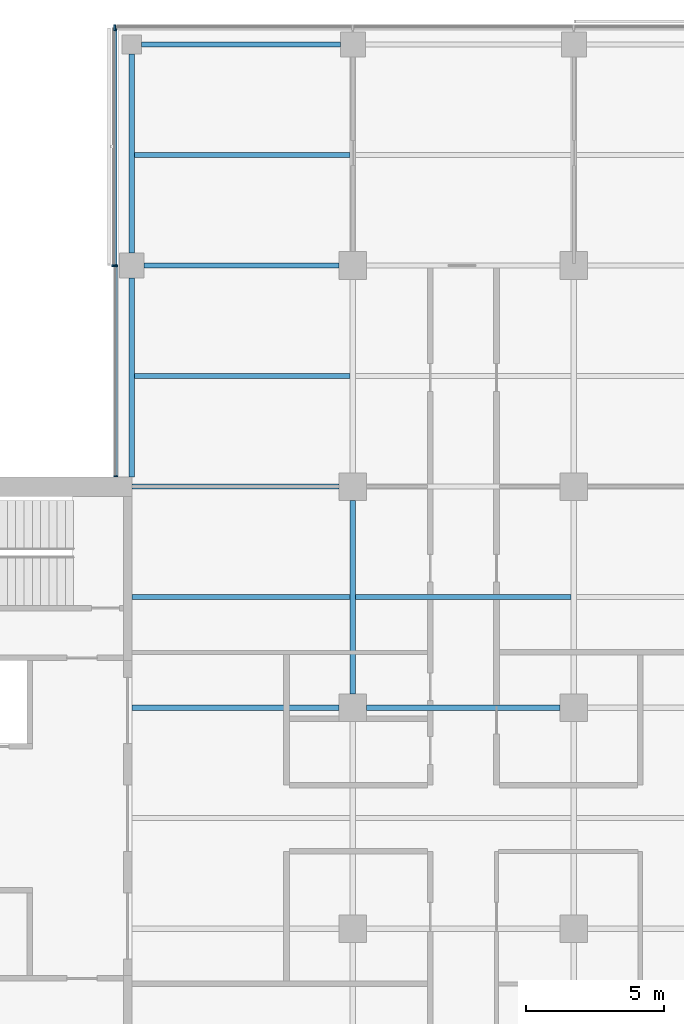
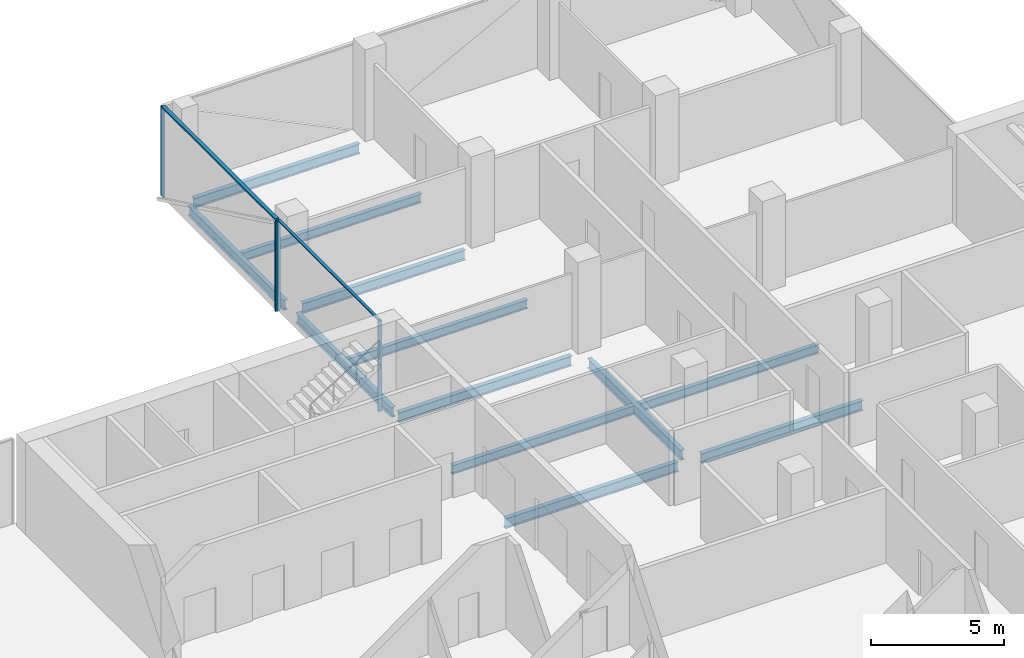
# One storey, part 8 of 22: 12 beams, 6 members, 3 elements without a shape of their own.
"""IFC4 building model written with IfcOpenShell, lengths in metres."""

from ifc_helpers import new_model, si_unit, direction, frame, origin, origin_2d, place, context, subcontext, project, spatial, rectangle, i_section, extrude, material, material_profile, profile_set, type_object, element, aggregate, save


model = new_model("IFC4")

# Units and contexts
model_context = context("Model", 3, precision=1e-05, world=origin(), true_north=direction((0.0, 1.0)))
body_context = subcontext(model_context, "Body", "Model", "MODEL_VIEW")
ifc_project = project(units=[si_unit("LENGTHUNIT", "METRE"), si_unit("AREAUNIT", "SQUARE_METRE"), si_unit("VOLUMEUNIT", "CUBIC_METRE"), si_unit("PLANEANGLEUNIT", "RADIAN"), si_unit("MASSUNIT", "GRAM", prefix="KILO")], contexts=[model_context])

# Site, building, storey
site_placement = place(None, origin())
site = spatial("IfcSite", under=ifc_project, at=site_placement, CompositionType="ELEMENT")
building_placement = place(site_placement, origin())
building = spatial("IfcBuilding", under=site, at=building_placement, Name="Crosswind Convention Tower", CompositionType="ELEMENT")
storey_placement = place(building_placement, frame((0.0, 0.0, 137.89990234375)))
storey = spatial("IfcBuildingStorey", under=building, at=storey_placement, Name="L28", CompositionType="ELEMENT", Elevation=137.89990234375)

# Beams
ifc_material_1 = material(Name="Steel S355", Category="steel")
ifc_material_profile_1 = material_profile(ifc_material_1, i_section(OverallWidth=0.18994140625, OverallDepth=0.45361328125, WebThickness=0.008544921875, FlangeThickness=0.0126953125, FilletRadius=0.01025390625, at=origin_2d()), Name="UB 457x191x67")
ifc_profile_set_1 = profile_set([ifc_material_profile_1], Name="Steel S355")
beam_type_1 = type_object("IfcBeamType", Name="Edge beam UB 457x191x67", PredefinedType="SPANDREL", material=ifc_profile_set_1)
for number, where, z_axis, x_axis, name in (
    (1, (113.0, 112.35009765625, -0.526611328125), (0.0, 1.0, 0.0), (-1.0, 0.0, 0.0), "B16 L28 edge beam 8"),
    (2, (113.0, 120.449951171875, -0.526611328125), (0.0, 1.0, 0.0), (-1.0, 0.0, 0.0), "B16 L28 edge beam 9"),
    (3, (113.35009765625, 128.0, -0.526611328125), (1.0, 0.0, 0.0), (0.0, 1.0, 0.0), "B16 L28 edge beam 11"),
):
    element("IfcBeam", number, at=place(storey_placement, frame(where, z_axis=z_axis, x_axis=x_axis)), inside=storey, type_object=beam_type_1, Name=name, PredefinedType="SPANDREL", context=body_context, shape_type="SweptSolid", body=[
        extrude(i_section(OverallWidth=0.18994140625, OverallDepth=0.45361328125, WebThickness=0.008544921875, FlangeThickness=0.0126953125, FilletRadius=0.01025390625, at=origin_2d()), origin(), (0.0, 0.0, 1.0), 7.199951171875),
    ])
ifc_material_profile_2 = material_profile(ifc_material_1, i_section(OverallWidth=0.19140625, OverallDepth=0.460205078125, WebThickness=0.010009765625, FlangeThickness=0.01611328125, FilletRadius=0.01025390625, at=origin_2d()), Name="UB 457x191x82")
ifc_profile_set_2 = profile_set([ifc_material_profile_2], Name="Steel S355")
beam_type_2 = type_object("IfcBeamType", Name="Girder UB 457x191x82", PredefinedType="BEAM", material=ifc_profile_set_2)
beam_1_placement = place(storey_placement, frame((113.449951171875, 120.0, -0.530029296875), z_axis=(1.0, 0.0, 0.0), x_axis=(0.0, 1.0, 0.0)))
element("IfcBeam", 4, at=beam_1_placement, inside=storey, type_object=beam_type_2, Name="B3 L28 girder 2", PredefinedType="BEAM", context=body_context, shape_type="SweptSolid", body=[
    extrude(i_section(OverallWidth=0.19140625, OverallDepth=0.460205078125, WebThickness=0.010009765625, FlangeThickness=0.01611328125, FilletRadius=0.01025390625, at=origin_2d()), origin(), (0.0, 0.0, 1.0), 7.050048828125),
])
for number, where, z_axis, x_axis, name in (
    (5, (121.0, 104.5, -0.530029296875), (0.0, 1.0, 0.0), (-1.0, 0.0, 0.0), "B3 L28 girder 7"),
    (6, (121.5, 104.0, -0.530029296875), (1.0, 0.0, 0.0), (0.0, 1.0, 0.0), "B3 L28 girder 13"),
):
    element("IfcBeam", number, at=place(storey_placement, frame(where, z_axis=z_axis, x_axis=x_axis)), inside=storey, type_object=beam_type_2, Name=name, PredefinedType="BEAM", context=body_context, shape_type="SweptSolid", body=[
        extrude(i_section(OverallWidth=0.19140625, OverallDepth=0.460205078125, WebThickness=0.010009765625, FlangeThickness=0.01611328125, FilletRadius=0.01025390625, at=origin_2d()), origin(), (0.0, 0.0, 1.0), 7.0),
    ])
ifc_material_profile_3 = material_profile(ifc_material_1, i_section(OverallWidth=0.19189453125, OverallDepth=0.463623046875, WebThickness=0.010498046875, FlangeThickness=0.017578125, FilletRadius=0.01025390625, at=origin_2d()), Name="UB 457x191x90")
ifc_profile_set_3 = profile_set([ifc_material_profile_3], Name="Steel S355")
beam_type_3 = type_object("IfcBeamType", Name="Girder at core wall UB 457x191x90", PredefinedType="BEAM", material=ifc_profile_set_3)
for number, where, z_axis, x_axis, name in (
    (7, (113.0, 104.0, -0.53173828125), (1.0, 0.0, 0.0), (0.0, 1.0, 0.0), "B24 L28 girder at core wall 5"),
    (8, (113.0, 112.0, -0.53173828125), (1.0, 0.0, 0.0), (0.0, 1.0, 0.0), "B24 L28 girder at core wall 6"),
):
    element("IfcBeam", number, at=place(storey_placement, frame(where, z_axis=z_axis, x_axis=x_axis)), inside=storey, type_object=beam_type_3, Name=name, PredefinedType="BEAM", context=body_context, shape_type="SweptSolid", body=[
        extrude(i_section(OverallWidth=0.19189453125, OverallDepth=0.463623046875, WebThickness=0.010498046875, FlangeThickness=0.017578125, FilletRadius=0.01025390625, at=origin_2d()), origin(), (0.0, 0.0, 1.0), 7.5),
    ])

# Curtain wall, members
ifc_material_2 = material(Name="Aluminium unitised curtain wall", Category="aluminium")
curtain_wall_type_1 = type_object("IfcCurtainWallType", Name="CORE END SLOT WALL 160", PredefinedType="USERDEFINED", material=ifc_material_2)
curtain_wall_1_placement = place(storey_placement, origin())
curtain_wall_1 = element("IfcCurtainWall", 9, at=curtain_wall_1_placement, inside=storey, type_object=curtain_wall_type_1, Name="CW6 L28 N-W.1-2 slot", ObjectType="UNITISED", PredefinedType="USERDEFINED")
ifc_material_3 = material(Name="Aluminium mullion", Category="aluminium")
ifc_material_profile_4 = material_profile(ifc_material_3, rectangle(XDim=0.159912109375, YDim=0.050048828125, at=origin_2d()), Name="AL 160X50")
ifc_profile_set_4 = profile_set([ifc_material_profile_4], Name="Aluminium mullion")
member_type_1 = type_object("IfcMemberType", Name="MULLION 50X160", PredefinedType="MULLION", material=ifc_profile_set_4)
member_1_placement = place(storey_placement, frame((112.419921875, 119.97509765625, -0.2998046875), z_axis=(0.0, 0.0, 1.0), x_axis=(-1.0, 0.0, 0.0)))
member_1 = element("IfcMember", 10, at=member_1_placement, type_object=member_type_1, Name="CW6 mullion 1", PredefinedType="MULLION", context=body_context, shape_type="SweptSolid", body=[
    extrude(rectangle(XDim=0.159912109375, YDim=0.050048828125, at=origin_2d()), origin(), (0.0, 0.0, 1.0), 4.14990234375),
])
member_2_placement = place(storey_placement, frame((112.419921875, 112.375, -0.2998046875), z_axis=(0.0, 0.0, 1.0), x_axis=(-1.0, 0.0, 0.0)))
member_2 = element("IfcMember", 11, at=member_2_placement, type_object=member_type_1, Name="CW6 mullion 2", PredefinedType="MULLION", context=body_context, shape_type="SweptSolid", body=[
    extrude(rectangle(XDim=0.159912109375, YDim=0.050048828125, at=origin_2d()), origin(), (0.0, 0.0, 1.0), 4.14990234375),
])

# Curtain wall, member
curtain_wall_type_2 = type_object("IfcCurtainWallType", Name="OFFICE UNITISED WALL 220", PredefinedType="USERDEFINED", material=ifc_material_2)
curtain_wall_2_placement = place(storey_placement, origin())
curtain_wall_2 = element("IfcCurtainWall", 12, at=curtain_wall_2_placement, inside=storey, type_object=curtain_wall_type_2, Name="CW3 L28 N-TIP 1", ObjectType="UNITISED", PredefinedType="USERDEFINED")
ifc_material_profile_5 = material_profile(ifc_material_3, rectangle(XDim=0.219970703125, YDim=0.070068359375, at=origin_2d()), Name="AL 220X70")
ifc_profile_set_5 = profile_set([ifc_material_profile_5], Name="Aluminium mullion")
member_type_2 = type_object("IfcMemberType", Name="MULLION 70X220", PredefinedType="MULLION", material=ifc_profile_set_5)
member_3_placement = place(storey_placement, frame((112.389892578125, 128.610107421875, -0.2998046875), z_axis=(0.0, 0.0, 1.0), x_axis=(0.0, 1.0, 0.0)))
member_3 = element("IfcMember", 13, at=member_3_placement, type_object=member_type_2, Name="CW3 mullion 4", PredefinedType="MULLION", context=body_context, shape_type="SweptSolid", body=[
    extrude(rectangle(XDim=0.219970703125, YDim=0.070068359375, at=origin_2d()), origin(), (0.0, 0.0, 1.0), 4.1298828125),
])
aggregate(curtain_wall_2, [member_3])

curtain_wall_3_placement = place(storey_placement, origin())
curtain_wall_3 = element("IfcCurtainWall", 14, at=curtain_wall_3_placement, inside=storey, type_object=curtain_wall_type_2, Name="CW3 L28 N-W 1", ObjectType="UNITISED", PredefinedType="USERDEFINED")
member_4_placement = place(storey_placement, frame((112.389892578125, 120.0, -0.2998046875), z_axis=(0.0, 0.0, 1.0), x_axis=(-1.0, 0.0, 0.0)))
member_4 = element("IfcMember", 15, at=member_4_placement, type_object=member_type_2, Name="CW3 mullion 2", PredefinedType="MULLION", context=body_context, shape_type="SweptSolid", body=[
    extrude(rectangle(XDim=0.219970703125, YDim=0.070068359375, at=origin_2d()), origin(), (0.0, 0.0, 1.0), 4.1298828125),
])

# Beams
ifc_material_profile_6 = material_profile(ifc_material_1, i_section(OverallWidth=0.177734375, OverallDepth=0.406494140625, WebThickness=0.0078125, FlangeThickness=0.0126953125, FilletRadius=0.01025390625, at=origin_2d()), Name="UB 406x178x60")
ifc_profile_set_6 = profile_set([ifc_material_profile_6], Name="Steel S355")
beam_type_4 = type_object("IfcBeamType", Name="Secondary beam UB 406x178x60", PredefinedType="JOIST", material=ifc_profile_set_6)
beam_2_placement = place(storey_placement, frame((113.0, 108.0, -0.503173828125), z_axis=(1.0, 0.0, 0.0), x_axis=(0.0, 1.0, 0.0)))
element("IfcBeam", 16, at=beam_2_placement, inside=storey, type_object=beam_type_4, Name="B10 L28 secondary beam 6", PredefinedType="JOIST", context=body_context, shape_type="SweptSolid", body=[
    extrude(i_section(OverallWidth=0.177734375, OverallDepth=0.406494140625, WebThickness=0.0078125, FlangeThickness=0.0126953125, FilletRadius=0.01025390625, at=origin_2d()), origin(), (0.0, 0.0, 1.0), 7.904296875),
])
for number, where, z_axis, x_axis, name in (
    (17, (113.094970703125, 116.0, -0.503173828125), (1.0, 0.0, 0.0), (0.0, 1.0, 0.0), "B10 L28 secondary beam 9"),
    (18, (113.094970703125, 124.0, -0.503173828125), (1.0, 0.0, 0.0), (0.0, 1.0, 0.0), "B10 L28 secondary beam 10"),
):
    element("IfcBeam", number, at=place(storey_placement, frame(where, z_axis=z_axis, x_axis=x_axis)), inside=storey, type_object=beam_type_4, Name=name, PredefinedType="JOIST", context=body_context, shape_type="SweptSolid", body=[
        extrude(i_section(OverallWidth=0.177734375, OverallDepth=0.406494140625, WebThickness=0.0078125, FlangeThickness=0.0126953125, FilletRadius=0.01025390625, at=origin_2d()), origin(), (0.0, 0.0, 1.0), 7.809326171875),
    ])
beam_3_placement = place(storey_placement, frame((121.095703125, 108.0, -0.503173828125), z_axis=(1.0, 0.0, 0.0), x_axis=(0.0, 1.0, 0.0)))
element("IfcBeam", 19, at=beam_3_placement, inside=storey, type_object=beam_type_4, Name="B10 L28 secondary beam 15", PredefinedType="JOIST", context=body_context, shape_type="SweptSolid", body=[
    extrude(i_section(OverallWidth=0.177734375, OverallDepth=0.406494140625, WebThickness=0.0078125, FlangeThickness=0.0126953125, FilletRadius=0.01025390625, at=origin_2d()), origin(), (0.0, 0.0, 1.0), 7.80859375),
])

# Member
ifc_material_4 = material(Name="Aluminium transom", Category="aluminium")
ifc_material_profile_7 = material_profile(ifc_material_4, rectangle(XDim=0.1201171875, YDim=0.050048828125, at=origin_2d()), Name="AL 120X50")
ifc_profile_set_7 = profile_set([ifc_material_profile_7], Name="Aluminium transom")
member_type_3 = type_object("IfcMemberType", Name="TRANSOM 50X120", PredefinedType="USERDEFINED", material=ifc_profile_set_7)
member_5_placement = place(storey_placement, frame((112.419921875, 119.949951171875, 3.875), z_axis=(0.0, -1.0, 0.0), x_axis=(1.0, 0.0, 0.0)))
member_5 = element("IfcMember", 20, at=member_5_placement, type_object=member_type_3, Name="CW6 transom", ObjectType="TRANSOM", PredefinedType="USERDEFINED", context=body_context, shape_type="SweptSolid", body=[
    extrude(rectangle(XDim=0.1201171875, YDim=0.050048828125, at=origin_2d()), origin(), (0.0, 0.0, 1.0), 7.550048828125),
])

aggregate(curtain_wall_1, [member_1, member_2, member_5])

ifc_material_profile_8 = material_profile(ifc_material_4, rectangle(XDim=0.159912109375, YDim=0.070068359375, at=origin_2d()), Name="AL 160X70")
ifc_profile_set_8 = profile_set([ifc_material_profile_8], Name="Aluminium transom")
member_type_4 = type_object("IfcMemberType", Name="TRANSOM 70X160", PredefinedType="USERDEFINED", material=ifc_profile_set_8)
member_6_placement = place(storey_placement, frame((112.389892578125, 128.574951171875, 3.864990234375), z_axis=(0.0, -1.0, 0.0), x_axis=(1.0, 0.0, 0.0)))
member_6 = element("IfcMember", 21, at=member_6_placement, type_object=member_type_4, Name="CW3 transom", ObjectType="TRANSOM", PredefinedType="USERDEFINED", context=body_context, shape_type="SweptSolid", body=[
    extrude(rectangle(XDim=0.159912109375, YDim=0.070068359375, at=origin_2d()), origin(), (0.0, 0.0, 1.0), 8.5400390625),
])

aggregate(curtain_wall_3, [member_4, member_6])

save(model, "model.ifc")
